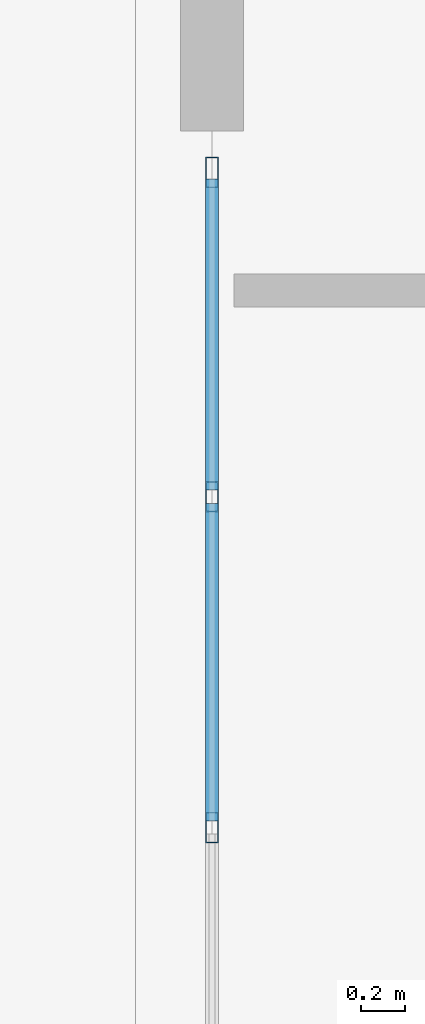
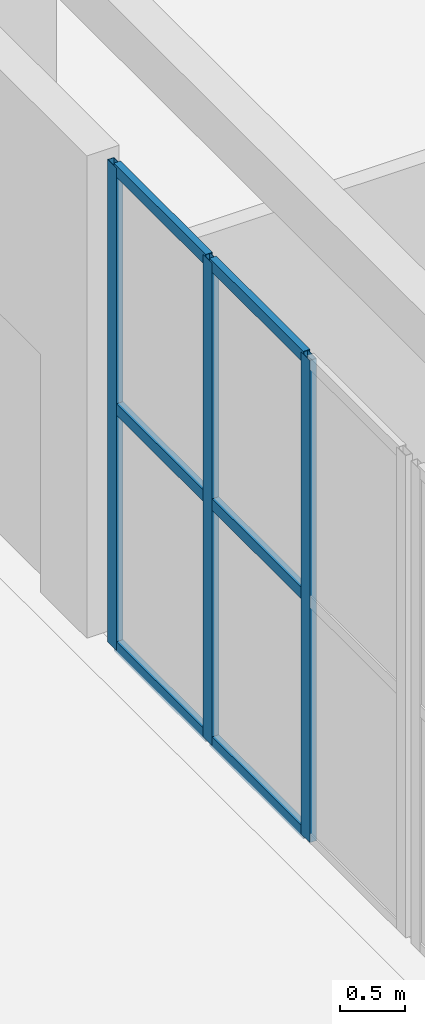
# One storey, part 26 of 158: 9 members, 1 element without a shape of its own.
"""IFC4 building model written with IfcOpenShell, lengths in metres."""

from ifc_helpers import new_model, si_unit, direction, frame, origin, origin_2d, place, context, subcontext, project, spatial, hollow_rectangle, extrude, material, layer, layer_set, material_profile, profile_set, type_object, element, aggregate, save


model = new_model("IFC4")

# Units and contexts
model_context = context("Model", 3, precision=1e-05, world=origin(), true_north=direction((0.0, 1.0)))
body_context = subcontext(model_context, "Body", "Model", "MODEL_VIEW")
ifc_project = project(units=[si_unit("LENGTHUNIT", "METRE"), si_unit("AREAUNIT", "SQUARE_METRE"), si_unit("VOLUMEUNIT", "CUBIC_METRE"), si_unit("PLANEANGLEUNIT", "RADIAN"), si_unit("MASSUNIT", "GRAM", prefix="KILO")], contexts=[model_context])

# Site, building, storey
site_placement = place(None, origin())
site = spatial("IfcSite", under=ifc_project, at=site_placement, CompositionType="ELEMENT")
building_placement = place(site_placement, origin())
building = spatial("IfcBuilding", under=site, at=building_placement, Name="Trelvath General Hospital", CompositionType="ELEMENT")
storey_placement = place(building_placement, frame((0.0, 0.0, 8.10009765625)))
storey = spatial("IfcBuildingStorey", under=building, at=storey_placement, Name="L02", CompositionType="ELEMENT", Elevation=8.10009765625)

# Curtain wall, members
ifc_material_1 = material(Name="Anodised aluminium and low-E glass", Category="aluminium")
ifc_layer = layer(ifc_material_1, 0.139892578125)
ifc_layer_set = layer_set([ifc_layer], Name="Anodised aluminium and low-E glass")
curtain_wall_type = type_object("IfcCurtainWallType", Name="CW CrystalCube 454 456 14", PredefinedType="USERDEFINED", material=ifc_layer_set)
curtain_wall_placement = place(storey_placement, origin())
curtain_wall = element("IfcCurtainWall", 1, at=curtain_wall_placement, inside=storey, type_object=curtain_wall_type, Name="Crystal Cube Curtain Wall CUBE-W-T1 W3 L02", ObjectType="Unitised Glazed Curtain Wall", PredefinedType="USERDEFINED")
ifc_material_2 = material(Name="Anodised aluminium", Category="aluminium")
ifc_material_profile_1 = material_profile(ifc_material_2, hollow_rectangle(XDim=0.06005859375, YDim=0.139892578125, WallThickness=0.00390625, at=origin_2d()), Name="RHS60x140x4")
ifc_profile_set_1 = profile_set([ifc_material_profile_1], Name="Anodised aluminium")
member_type_1 = type_object("IfcMemberType", Name="CurtainMullion 60x140", PredefinedType="MULLION", material=ifc_profile_set_1)
member_1_placement = place(storey_placement, frame((53.199951171875, 51.993408203125, 0.0), z_axis=(0.0, 0.0, 1.0), x_axis=(-1.0, 0.0, 0.0)))
member_1 = element("IfcMember", 2, at=member_1_placement, type_object=member_type_1, Name="CW-199 mullion 2", PredefinedType="MULLION", context=body_context, shape_type="SweptSolid", body=[
    extrude(hollow_rectangle(XDim=0.06005859375, YDim=0.139892578125, WallThickness=0.00390625, at=origin_2d()), origin(), (0.0, 0.0, 1.0), 4.559814453125),
])
member_2_placement = place(storey_placement, frame((53.199951171875, 53.506591796875, 0.0), z_axis=(0.0, 0.0, 1.0), x_axis=(-1.0, 0.0, 0.0)))
member_2 = element("IfcMember", 3, at=member_2_placement, type_object=member_type_1, Name="CW-199 mullion 3", PredefinedType="MULLION", context=body_context, shape_type="SweptSolid", body=[
    extrude(hollow_rectangle(XDim=0.06005859375, YDim=0.139892578125, WallThickness=0.00390625, at=origin_2d()), origin(), (0.0, 0.0, 1.0), 4.559814453125),
])
member_3_placement = place(storey_placement, frame((53.199951171875, 54.989990234375, 0.0), z_axis=(0.0, 0.0, 1.0), x_axis=(-1.0, 0.0, 0.0)))
member_3 = element("IfcMember", 4, at=member_3_placement, type_object=member_type_1, Name="CW-199 mullion 4", PredefinedType="MULLION", context=body_context, shape_type="SweptSolid", body=[
    extrude(hollow_rectangle(XDim=0.06005859375, YDim=0.139892578125, WallThickness=0.00390625, at=origin_2d()), origin(), (0.0, 0.0, 1.0), 4.559814453125),
])
ifc_material_3 = material(Name="Anodised aluminium", Category="aluminium")
ifc_material_profile_2 = material_profile(ifc_material_3, hollow_rectangle(XDim=0.06005859375, YDim=0.110107421875, WallThickness=0.00390625, at=origin_2d()), Name="RHS60x110x4")
ifc_profile_set_2 = profile_set([ifc_material_profile_2], Name="Anodised aluminium")
member_type_2 = type_object("IfcMemberType", Name="CurtainTransom 60x110", PredefinedType="USERDEFINED", material=ifc_profile_set_2)
member_4_placement = place(storey_placement, frame((53.199951171875, 52.0234375, 0.02978515625), z_axis=(0.0, 1.0, 0.0), x_axis=(-1.0, 0.0, 0.0)))
member_4 = element("IfcMember", 5, at=member_4_placement, type_object=member_type_2, Name="CW-199 transom 2.1", ObjectType="TRANSOM", PredefinedType="USERDEFINED", context=body_context, shape_type="SweptSolid", body=[
    extrude(hollow_rectangle(XDim=0.06005859375, YDim=0.110107421875, WallThickness=0.00390625, at=origin_2d()), origin(), (0.0, 0.0, 1.0), 1.453125),
])
member_5_placement = place(storey_placement, frame((53.199951171875, 52.0234375, 2.27978515625), z_axis=(0.0, 1.0, 0.0), x_axis=(-1.0, 0.0, 0.0)))
member_5 = element("IfcMember", 6, at=member_5_placement, type_object=member_type_2, Name="CW-199 transom 2.2", ObjectType="TRANSOM", PredefinedType="USERDEFINED", context=body_context, shape_type="SweptSolid", body=[
    extrude(hollow_rectangle(XDim=0.06005859375, YDim=0.110107421875, WallThickness=0.00390625, at=origin_2d()), origin(), (0.0, 0.0, 1.0), 1.453125),
])
member_6_placement = place(storey_placement, frame((53.199951171875, 52.0234375, 4.52978515625), z_axis=(0.0, 1.0, 0.0), x_axis=(-1.0, 0.0, 0.0)))
member_6 = element("IfcMember", 7, at=member_6_placement, type_object=member_type_2, Name="CW-199 transom 2.3", ObjectType="TRANSOM", PredefinedType="USERDEFINED", context=body_context, shape_type="SweptSolid", body=[
    extrude(hollow_rectangle(XDim=0.06005859375, YDim=0.110107421875, WallThickness=0.00390625, at=origin_2d()), origin(), (0.0, 0.0, 1.0), 1.453125),
])
member_7_placement = place(storey_placement, frame((53.199951171875, 53.53662109375, 0.02978515625), z_axis=(0.0, 1.0, 0.0), x_axis=(-1.0, 0.0, 0.0)))
member_7 = element("IfcMember", 8, at=member_7_placement, type_object=member_type_2, Name="CW-199 transom 3.1", ObjectType="TRANSOM", PredefinedType="USERDEFINED", context=body_context, shape_type="SweptSolid", body=[
    extrude(hollow_rectangle(XDim=0.06005859375, YDim=0.110107421875, WallThickness=0.00390625, at=origin_2d()), origin(), (0.0, 0.0, 1.0), 1.42333984375),
])
member_8_placement = place(storey_placement, frame((53.199951171875, 53.53662109375, 2.27978515625), z_axis=(0.0, 1.0, 0.0), x_axis=(-1.0, 0.0, 0.0)))
member_8 = element("IfcMember", 9, at=member_8_placement, type_object=member_type_2, Name="CW-199 transom 3.2", ObjectType="TRANSOM", PredefinedType="USERDEFINED", context=body_context, shape_type="SweptSolid", body=[
    extrude(hollow_rectangle(XDim=0.06005859375, YDim=0.110107421875, WallThickness=0.00390625, at=origin_2d()), origin(), (0.0, 0.0, 1.0), 1.42333984375),
])
member_9_placement = place(storey_placement, frame((53.199951171875, 53.53662109375, 4.52978515625), z_axis=(0.0, 1.0, 0.0), x_axis=(-1.0, 0.0, 0.0)))
member_9 = element("IfcMember", 10, at=member_9_placement, type_object=member_type_2, Name="CW-199 transom 3.3", ObjectType="TRANSOM", PredefinedType="USERDEFINED", context=body_context, shape_type="SweptSolid", body=[
    extrude(hollow_rectangle(XDim=0.06005859375, YDim=0.110107421875, WallThickness=0.00390625, at=origin_2d()), origin(), (0.0, 0.0, 1.0), 1.42333984375),
])
aggregate(curtain_wall, [member_1, member_2, member_3, member_4, member_5, member_6, member_7, member_8, member_9])

save(model, "model.ifc")
